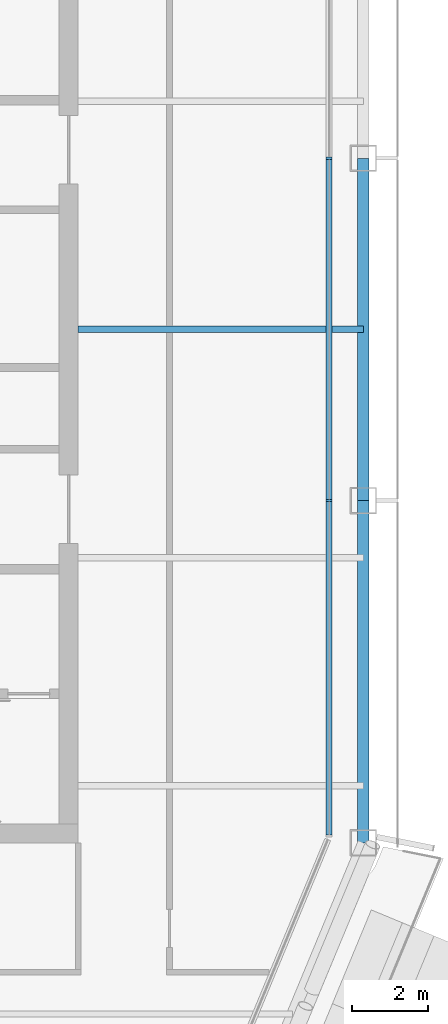
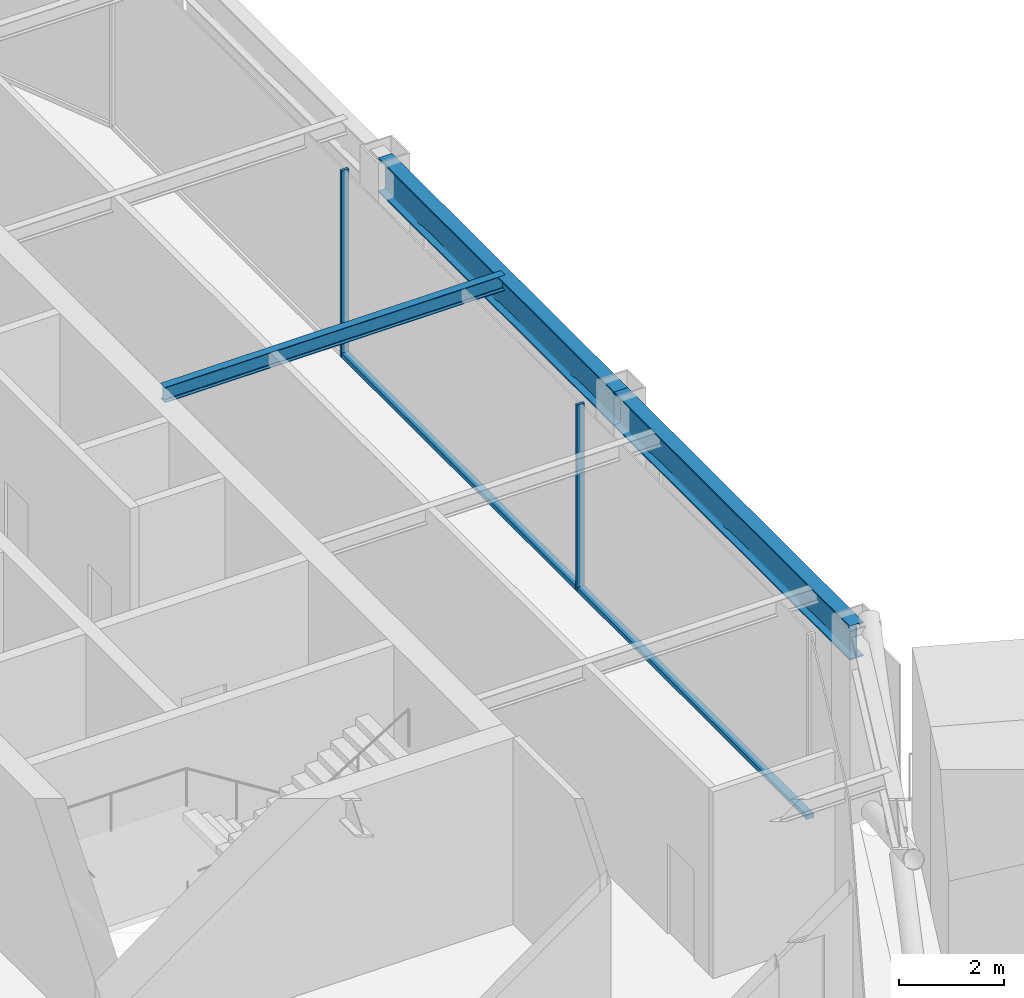
# One storey, part 6 of 21: 4 members, 3 beams, 1 element without a shape of its own.
"""IFC4 building model written with IfcOpenShell, lengths in metres."""

from ifc_helpers import new_model, si_unit, direction, frame, origin, origin_2d, place, context, subcontext, project, spatial, rectangle, i_section, extrude, material, layer, layer_set, material_profile, profile_set, type_object, element, aggregate, save


model = new_model("IFC4")

# Units and contexts
model_context = context("Model", 3, precision=1e-05, world=origin(), true_north=direction((0.0, 1.0)))
body_context = subcontext(model_context, "Body", "Model", "MODEL_VIEW")
ifc_project = project(units=[si_unit("LENGTHUNIT", "METRE"), si_unit("AREAUNIT", "SQUARE_METRE"), si_unit("VOLUMEUNIT", "CUBIC_METRE"), si_unit("PLANEANGLEUNIT", "RADIAN"), si_unit("MASSUNIT", "GRAM", prefix="KILO")], contexts=[model_context])

# Site, building, storey
site_placement = place(None, origin())
site = spatial("IfcSite", under=ifc_project, at=site_placement, CompositionType="ELEMENT")
building_placement = place(site_placement, origin())
building = spatial("IfcBuilding", under=site, at=building_placement, Name="Siwar Civic Tower", CompositionType="ELEMENT")
storey_placement = place(building_placement, frame((0.0, 0.0, 339.199951171875)))
storey = spatial("IfcBuildingStorey", under=building, at=storey_placement, Name="L73", CompositionType="ELEMENT", Elevation=339.199951171875)

# Curtain wall, members
ifc_material_1 = material(Name="Aluminium and glass", Category="aluminium")
ifc_layer = layer(ifc_material_1, 0.159912109375)
ifc_layer_set = layer_set([ifc_layer], Name="Aluminium and glass")
curtain_wall_type = type_object("IfcCurtainWallType", Name="ENV-CW-D", PredefinedType="NOTDEFINED", material=ifc_layer_set)
curtain_wall_placement = place(storey_placement, origin())
curtain_wall = element("IfcCurtainWall", 1, at=curtain_wall_placement, inside=storey, type_object=curtain_wall_type, Name="Curtain wall D E", PredefinedType="NOTDEFINED")
ifc_material_2 = material(Name="Aluminium 6063-T6", Category="aluminium")
ifc_material_profile_1 = material_profile(ifc_material_2, rectangle(XDim=0.159912109375, YDim=0.06005859375, at=origin_2d()), Name="AL 160x60")
ifc_profile_set_1 = profile_set([ifc_material_profile_1], Name="Aluminium 6063-T6")
member_type_1 = type_object("IfcMemberType", Name="ENV-MULLION-D", PredefinedType="MULLION", material=ifc_profile_set_1)
member_1_placement = place(storey_placement, frame((23.85009765625, -4.5, 0.0), z_axis=(0.0, 0.0, 1.0), x_axis=(-1.0, 0.0, 0.0)))
member_1 = element("IfcMember", 2, at=member_1_placement, type_object=member_type_1, Name="Mullion D E 2", PredefinedType="MULLION", context=body_context, shape_type="SweptSolid", body=[
    extrude(rectangle(XDim=0.159912109375, YDim=0.06005859375, at=origin_2d()), origin(), (0.0, 0.0, 1.0), 4.35009765625),
])
member_2_placement = place(storey_placement, frame((23.85009765625, 4.5, 0.0), z_axis=(0.0, 0.0, 1.0), x_axis=(-1.0, 0.0, 0.0)))
member_2 = element("IfcMember", 3, at=member_2_placement, type_object=member_type_1, Name="Mullion D E 3", PredefinedType="MULLION", context=body_context, shape_type="SweptSolid", body=[
    extrude(rectangle(XDim=0.159912109375, YDim=0.06005859375, at=origin_2d()), origin(), (0.0, 0.0, 1.0), 4.35009765625),
])
ifc_material_3 = material(Name="Aluminium 6063-T6", Category="aluminium")
ifc_material_profile_2 = material_profile(ifc_material_3, rectangle(XDim=0.159912109375, YDim=0.10009765625, at=origin_2d()), Name="AL 160x100")
ifc_profile_set_2 = profile_set([ifc_material_profile_2], Name="Aluminium 6063-T6")
member_type_2 = type_object("IfcMemberType", Name="ENV-TRANSOM-D", PredefinedType="USERDEFINED", material=ifc_profile_set_2)
member_3_placement = place(storey_placement, frame((23.85009765625, -13.291015625, 0.050048828125), z_axis=(0.0, 1.0, 0.0), x_axis=(-1.0, 0.0, 0.0)))
member_3 = element("IfcMember", 4, at=member_3_placement, type_object=member_type_2, Name="Transom D E 1", ObjectType="TRANSOM", PredefinedType="USERDEFINED", context=body_context, shape_type="SweptSolid", body=[
    extrude(rectangle(XDim=0.159912109375, YDim=0.10009765625, at=origin_2d()), origin(), (0.0, 0.0, 1.0), 8.760986328125),
])
member_4_placement = place(storey_placement, frame((23.85009765625, -4.469970703125, 0.050048828125), z_axis=(0.0, 1.0, 0.0), x_axis=(-1.0, 0.0, 0.0)))
member_4 = element("IfcMember", 5, at=member_4_placement, type_object=member_type_2, Name="Transom D E 2", ObjectType="TRANSOM", PredefinedType="USERDEFINED", context=body_context, shape_type="SweptSolid", body=[
    extrude(rectangle(XDim=0.159912109375, YDim=0.10009765625, at=origin_2d()), origin(), (0.0, 0.0, 1.0), 8.93994140625),
])
aggregate(curtain_wall, [member_1, member_2, member_3, member_4])

# Beams
ifc_material_4 = material(Name="Steel S355", Category="steel")
ifc_material_profile_3 = material_profile(ifc_material_4, i_section(OverallWidth=0.169921875, OverallDepth=0.360107421875, WebThickness=0.008056640625, FlangeThickness=0.0126953125, FilletRadius=0.01806640625, at=origin_2d()), Name="IPE360")
ifc_profile_set_3 = profile_set([ifc_material_profile_3], Name="Steel S355")
beam_type_1 = type_object("IfcBeamType", Name="STR-FB-IPE360", PredefinedType="JOIST", material=ifc_profile_set_3)
beam_placement = place(storey_placement, frame((17.25, 0.0, 4.170166015625), z_axis=(1.0, 0.0, 0.0), x_axis=(0.0, 1.0, 0.0)))
element("IfcBeam", 6, at=beam_placement, inside=storey, type_object=beam_type_1, Name="L73/bm/F019", PredefinedType="JOIST", context=body_context, shape_type="SweptSolid", body=[
    extrude(i_section(OverallWidth=0.169921875, OverallDepth=0.360107421875, WebThickness=0.008056640625, FlangeThickness=0.0126953125, FilletRadius=0.01806640625, at=origin_2d()), origin(), (0.0, 0.0, 1.0), 7.5),
])
ifc_material_5 = material(Name="Steel S355", Category="steel")
ifc_material_profile_4 = material_profile(ifc_material_5, i_section(OverallWidth=0.300048828125, OverallDepth=0.800048828125, WebThickness=0.017578125, FlangeThickness=0.032958984375, FilletRadius=0.030029296875, at=origin_2d()), Name="HEB800")
ifc_profile_set_4 = profile_set([ifc_material_profile_4], Name="Steel S355")
beam_type_2 = type_object("IfcBeamType", Name="STR-SB-HEB800", PredefinedType="BEAM", material=ifc_profile_set_4)
for number, where, z_axis, x_axis, name in (
    (7, (24.75, -13.5, 3.949951171875), (0.0, 1.0, 0.0), (-1.0, 0.0, 0.0), "L73/bm/SE-0"),
    (8, (24.75, -4.5, 3.949951171875), (0.0, 1.0, 0.0), (-1.0, 0.0, 0.0), "L73/bm/SE-1"),
):
    element("IfcBeam", number, at=place(storey_placement, frame(where, z_axis=z_axis, x_axis=x_axis)), inside=storey, type_object=beam_type_2, Name=name, PredefinedType="BEAM", context=body_context, shape_type="SweptSolid", body=[
        extrude(i_section(OverallWidth=0.300048828125, OverallDepth=0.800048828125, WebThickness=0.017578125, FlangeThickness=0.032958984375, FilletRadius=0.030029296875, at=origin_2d()), origin(), (0.0, 0.0, 1.0), 9.0),
    ])

save(model, "model.ifc")
